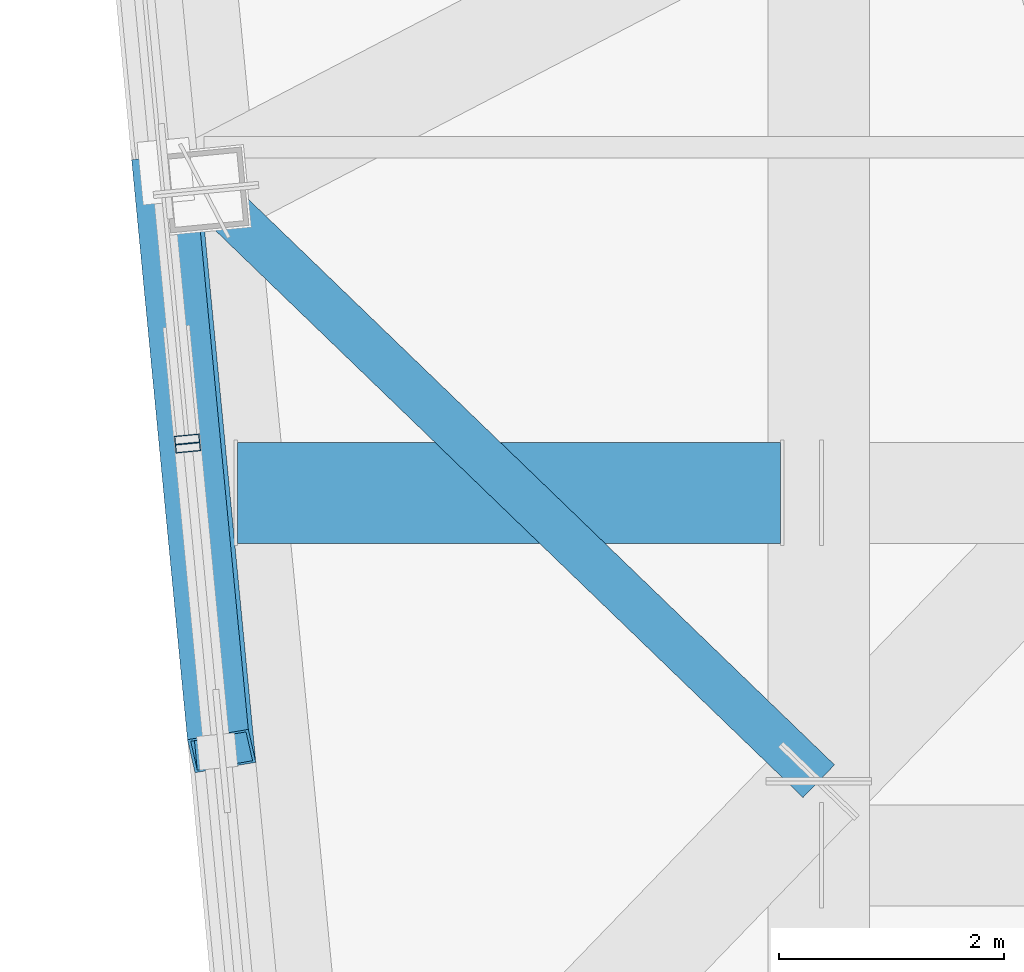
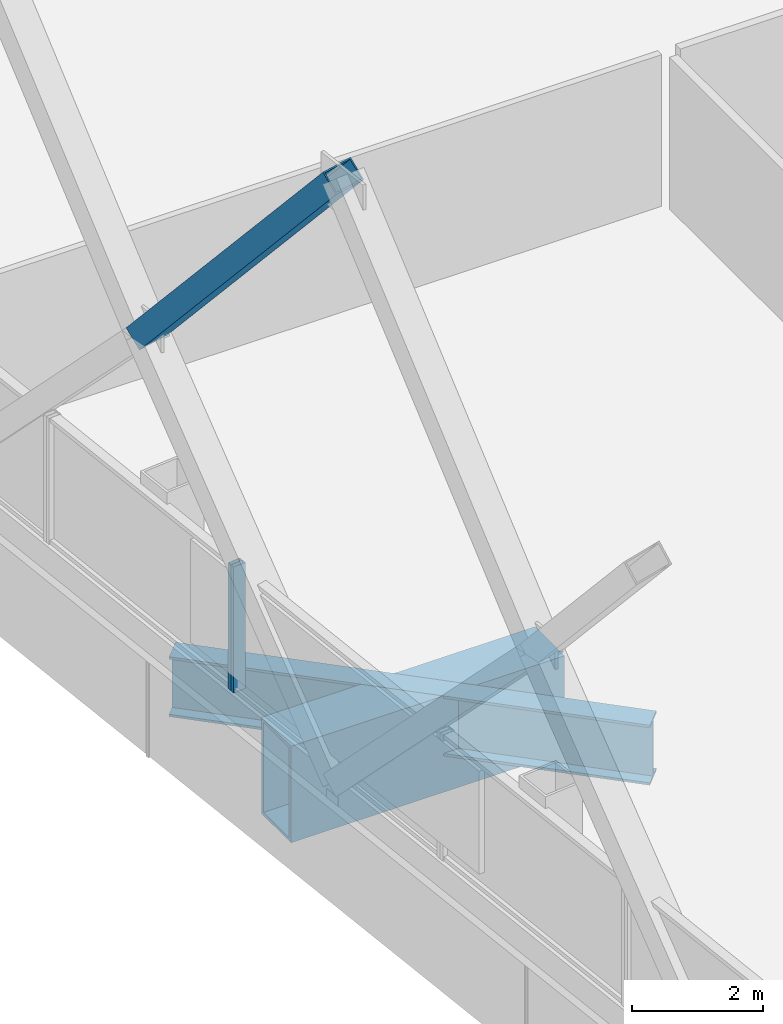
# One storey, part 10 of 37: 3 members, 2 beams, 2 elements without a shape of their own.
"""IFC4 building model written with IfcOpenShell, lengths in metres."""

from ifc_helpers import new_model, si_unit, direction, frame, origin, origin_2d, place, context, subcontext, project, spatial, hollow_rectangle, i_section, extrude, material, layer, layer_set, material_profile, profile_set, type_object, element, aggregate, save


model = new_model("IFC4")

# Units and contexts
model_context = context("Model", 3, precision=1e-05, world=origin(), true_north=direction((0.0, 1.0)))
body_context = subcontext(model_context, "Body", "Model", "MODEL_VIEW")
ifc_project = project(units=[si_unit("LENGTHUNIT", "METRE"), si_unit("AREAUNIT", "SQUARE_METRE"), si_unit("VOLUMEUNIT", "CUBIC_METRE"), si_unit("PLANEANGLEUNIT", "RADIAN"), si_unit("MASSUNIT", "GRAM", prefix="KILO")], contexts=[model_context])

# Site, building, storey
site_placement = place(None, origin())
site = spatial("IfcSite", under=ifc_project, at=site_placement, CompositionType="ELEMENT")
building_placement = place(site_placement, origin())
building = spatial("IfcBuilding", under=site, at=building_placement, Name="Qhalaya Broadcast Tower", CompositionType="ELEMENT")
storey_placement = place(building_placement, frame((0.0, 0.0, 156.14990234375)))
storey = spatial("IfcBuildingStorey", under=building, at=storey_placement, Name="L45", CompositionType="ELEMENT", Elevation=156.14990234375)

# Beam
ifc_material_1 = material(Name="Structural Steel ASTM A572 Grade 50", Category="steel")
ifc_material_profile_1 = material_profile(ifc_material_1, hollow_rectangle(XDim=0.89990234375, YDim=1.800048828125, WallThickness=0.06005859375, at=origin_2d()), Name="BOX 900x1800x60")
ifc_profile_set_1 = profile_set([ifc_material_profile_1], Name="Structural Steel ASTM A572 Grade 50")
beam_type_1 = type_object("IfcBeamType", Name="Block Cantilever Transfer Box Girder TG1", PredefinedType="USERDEFINED", material=ifc_profile_set_1)
beam_1_placement = place(storey_placement, frame((-24.29296875, 3.824951171875, -1.119873046875), z_axis=(1.0, 0.0, 0.0), x_axis=(0.0, 1.0, 0.0)))
element("IfcBeam", 1, at=beam_1_placement, inside=storey, type_object=beam_type_1, Name="L45 TG1 L45-PGYW3-OV1", ObjectType="GIRDER", PredefinedType="USERDEFINED", context=body_context, shape_type="SweptSolid", body=[
    extrude(hollow_rectangle(XDim=0.89990234375, YDim=1.800048828125, WallThickness=0.06005859375, at=origin_2d()), origin(), (0.0, 0.0, 1.0), 4.8330078125),
])

# Member
ifc_material_profile_2 = material_profile(ifc_material_1, hollow_rectangle(XDim=0.39990234375, YDim=0.550048828125, WallThickness=0.02490234375, at=origin_2d()), Name="BOX 400x550x25")
ifc_profile_set_2 = profile_set([ifc_material_profile_2], Name="Structural Steel ASTM A572 Grade 50")
member_type_1 = type_object("IfcMemberType", Name="Exoskeleton Diamond Diagonal Mid-High EX3", PredefinedType="BRACE", material=ifc_profile_set_2)
member_1_placement = place(storey_placement, frame((-24.93017578125, 6.687744140625, 5.739990234375), z_axis=(0.06350423358, -0.659476642868, 0.749037896123), x_axis=(-0.166870327526, 0.732969553362, 0.659477010695)))
element("IfcMember", 2, at=member_1_placement, inside=storey, type_object=member_type_1, Name="B4 Exoskeleton Diamond Brace W2-D3", PredefinedType="BRACE", context=body_context, shape_type="SweptSolid", body=[
    extrude(hollow_rectangle(XDim=0.39990234375, YDim=0.550048828125, WallThickness=0.02490234375, at=origin_2d()), origin(), (0.0, 0.0, 1.0), 7.823486328125),
])

# Beam
ifc_material_2 = material(Name="Structural Steel ASTM A992 Grade 50", Category="steel")
ifc_material_profile_3 = material_profile(ifc_material_2, i_section(OverallWidth=0.404052734375, OverallDepth=1.117919921875, WebThickness=0.026123046875, FlangeThickness=0.044921875, at=origin_2d()), Name="W44X335")
ifc_profile_set_3 = profile_set([ifc_material_profile_3], Name="Structural Steel ASTM A992 Grade 50")
beam_type_2 = type_object("IfcBeamType", Name="Podium Long-Span Primary Girder PG1", PredefinedType="USERDEFINED", material=ifc_profile_set_3)
beam_2_placement = place(storey_placement, frame((-19.1201171875, 1.260009765625, -0.77880859375), z_axis=(-0.719609075554, 0.694379419612, 0.0), x_axis=(-0.694379419612, -0.719609075554, 0.0)))
element("IfcBeam", 3, at=beam_2_placement, inside=storey, type_object=beam_type_2, Name="L45 Column-to-Column Moment Tie Girder 14-2", ObjectType="GIRDER", PredefinedType="USERDEFINED", context=body_context, shape_type="SweptSolid", body=[
    extrude(i_section(OverallWidth=0.404052734375, OverallDepth=1.117919921875, WebThickness=0.026123046875, FlangeThickness=0.044921875, at=origin_2d()), origin(), (0.0, 0.0, 1.0), 7.576904296875),
])

# Curtain wall, member
ifc_material_3 = material(Name="Solar-Control Low-E Triple Glazing", Category="glass")
ifc_layer_1 = layer(ifc_material_3, 0.219970703125, Name="Solar-Control Low-E Triple Glazing")
ifc_layer_set_1 = layer_set([ifc_layer_1], Name="Solar-Control Low-E Triple Glazing")
curtain_wall_type_1 = type_object("IfcCurtainWallType", Name="Even-Block 4-Storey Double-Module Curtain Wall CW-03", PredefinedType="NOTDEFINED", material=ifc_layer_set_1)
curtain_wall_1_placement = place(storey_placement, origin())
curtain_wall_1 = element("IfcCurtainWall", 4, at=curtain_wall_1_placement, inside=storey, type_object=curtain_wall_type_1, Name="L45 Unitised Curtain Wall L45-CW-W2", PredefinedType="NOTDEFINED")
ifc_material_4 = material(Name="Anodised Aluminium 6063-T6", Category="aluminium")
ifc_material_profile_4 = material_profile(ifc_material_4, hollow_rectangle(XDim=0.074951171875, YDim=0.219970703125, WallThickness=0.00390625, at=origin_2d()), Name="ALU-MUL 75x220x4")
ifc_profile_set_4 = profile_set([ifc_material_profile_4], Name="Anodised Aluminium 6063-T6")
member_type_2 = type_object("IfcMemberType", Name="Unitised Curtain-Wall Mullion M01", PredefinedType="MULLION", material=ifc_profile_set_4)
member_2_placement = place(storey_placement, frame((-24.74072265625, 4.302001953125, 0.47998046875), z_axis=(0.0, 0.0, 1.0), x_axis=(0.095844898762, -0.995396280574, 0.0)))
member_2 = element("IfcMember", 5, at=member_2_placement, type_object=member_type_2, Name="CW-03 mullion 2", PredefinedType="MULLION", context=body_context, shape_type="SweptSolid", body=[
    extrude(hollow_rectangle(XDim=0.074951171875, YDim=0.219970703125, WallThickness=0.00390625, at=origin_2d()), origin(), (0.0, 0.0, 1.0), 2.35009765625),
])
aggregate(curtain_wall_1, [member_2])

ifc_material_5 = material(Name="Fired Architectural Terracotta", Category="masonry")
ifc_layer_2 = layer(ifc_material_5, 0.219970703125, Name="Fired Architectural Terracotta")
ifc_layer_set_2 = layer_set([ifc_layer_2], Name="Fired Architectural Terracotta")
curtain_wall_type_2 = type_object("IfcCurtainWallType", Name="Block-Cap Unitised Terracotta Spandrel Wall CW-07", PredefinedType="NOTDEFINED", material=ifc_layer_set_2)
curtain_wall_2_placement = place(storey_placement, origin())
curtain_wall_2 = element("IfcCurtainWall", 6, at=curtain_wall_2_placement, inside=storey, type_object=curtain_wall_type_2, Name="L45 Unitised Curtain Wall L45-CW-W3", PredefinedType="NOTDEFINED")
member_3_placement = place(storey_placement, frame((-24.7333984375, 4.227294921875, 0.47998046875), z_axis=(0.0, 0.0, 1.0), x_axis=(0.095858099514, -0.99539500941, 0.0)))
member_3 = element("IfcMember", 7, at=member_3_placement, type_object=member_type_2, Name="CW-07 mullion 1", PredefinedType="MULLION", context=body_context, shape_type="SweptSolid", body=[
    extrude(hollow_rectangle(XDim=0.074951171875, YDim=0.219970703125, WallThickness=0.00390625, at=origin_2d()), origin(), (0.0, 0.0, 1.0), 2.35009765625),
])
aggregate(curtain_wall_2, [member_3])

save(model, "model.ifc")
